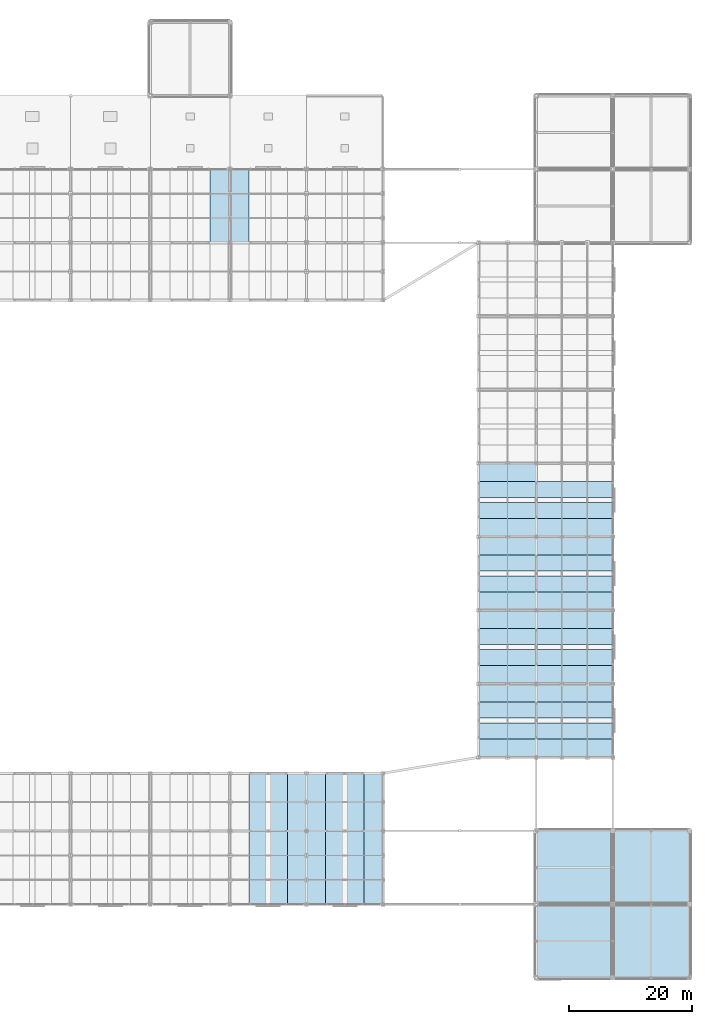
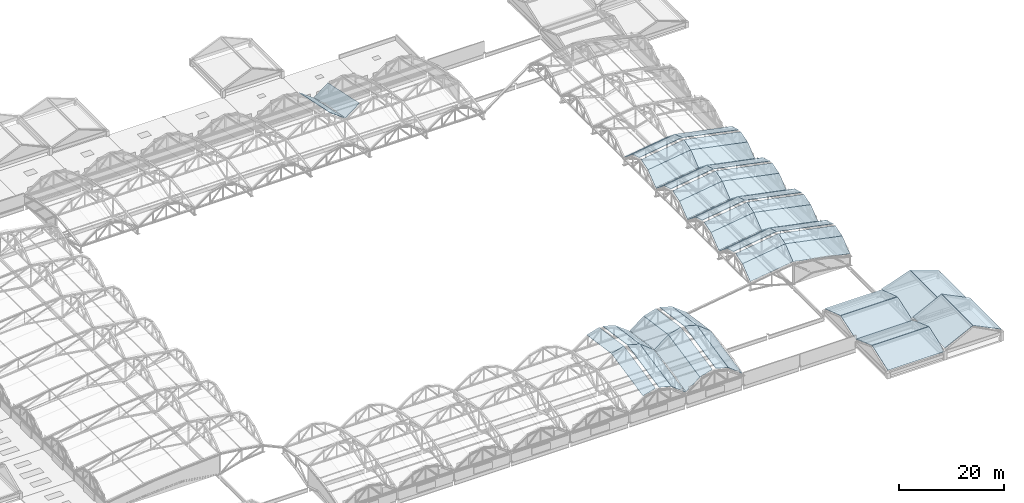
# One storey, part 113 of 117: 55 roofs.
"""IFC4 building model written with IfcOpenShell, lengths in metres."""

from ifc_helpers import new_model, si_unit, direction, frame, origin, place, context, subcontext, project, spatial, polyline, outline, extrude, material, layer, layer_set, type_object, element, save


model = new_model("IFC4")

# Units and contexts
model_context = context("Model", 3, precision=1e-05, world=origin(), true_north=direction((0.0, 1.0)))
body_context = subcontext(model_context, "Body", "Model", "MODEL_VIEW")
ifc_project = project(units=[si_unit("LENGTHUNIT", "METRE"), si_unit("AREAUNIT", "SQUARE_METRE"), si_unit("VOLUMEUNIT", "CUBIC_METRE"), si_unit("PLANEANGLEUNIT", "RADIAN"), si_unit("MASSUNIT", "GRAM", prefix="KILO")], contexts=[model_context])

# Site, building, storey
site_placement = place(None, origin())
site = spatial("IfcSite", under=ifc_project, at=site_placement, CompositionType="ELEMENT")
building_placement = place(site_placement, origin())
building = spatial("IfcBuilding", under=site, at=building_placement, Name="Kazenohara Klinker Stadium", CompositionType="ELEMENT")
storey_placement = place(building_placement, frame((0.0, 0.0, 31.199951171875)))
storey = spatial("IfcBuildingStorey", under=building, at=storey_placement, Name="RF", CompositionType="ELEMENT", Elevation=31.199951171875)

# Roofs
ifc_material = material(Name="Patina copper standing seam roofing", Category="metal")
ifc_layer = layer(ifc_material, 0.080078125)
ifc_layer_set = layer_set([ifc_layer], Name="Patina copper standing seam roofing")
roof_type = type_object("IfcRoofType", Name="ROOF-BARREL-01", PredefinedType="BARREL_ROOF", material=ifc_layer_set)
roof_1_placement = place(storey_placement, frame((175.0, 48.06005859375, 5.14794921875), z_axis=(-0.1114348372, -0.620820003285, 0.775992783845), x_axis=(-0.989845879347, 0.0, -0.142144768244)))
element("IfcRoof", 1, at=roof_1_placement, inside=storey, type_object=roof_type, Name="Scalloped copper barrel-arch roof shell E-01 inner strip 1", PredefinedType="BARREL_ROOF", context=body_context, shape_type="SweptSolid", body=[
    extrude(outline(polyline([(0.0, 0.0), (9.496329216369972, 1.1102230246251565e-16), (9.16199750317222, -3.750149417731541), (-0.3343317131977522, -3.7501494177315413), (0.0, 0.0)])), origin(), (0.0, 0.0, -1.0), 0.080078125),
])
roof_2_placement = place(storey_placement, frame((187.5, 48.06005859375, 2.59814453125), z_axis=(0.157309989565, -0.616913235459, 0.771149549114), x_axis=(-0.979821564179, -4.552084e-06, 0.199874216321)))
element("IfcRoof", 2, at=roof_2_placement, inside=storey, type_object=roof_type, Name="Scalloped copper barrel-arch roof shell E-01 outer strip 1", PredefinedType="BARREL_ROOF", context=body_context, shape_type="SweptSolid", body=[
    extrude(outline(polyline([(0.0, 0.0), (12.757409765917833, 2.220446049250313e-16), (13.227510689708229, -3.7355593238967684), (0.4700521263743014, -3.7354117492855825), (0.0, 0.0)])), origin(), (0.0, 0.0, -1.0), 0.080078125),
])
roof_3_placement = place(storey_placement, frame((175.0, 51.0, 7.5), z_axis=(-0.136061259308, -0.289700944037, 0.947396800047), x_axis=(-0.989844222428, 3.528061e-06, -0.142156305924)))
element("IfcRoof", 3, at=roof_3_placement, inside=storey, type_object=roof_type, Name="Scalloped copper barrel-arch roof shell E-01 inner strip 2", PredefinedType="BARREL_ROOF", context=body_context, shape_type="SweptSolid", body=[
    extrude(outline(polyline([(0.0, 0.0), (9.496329215665769, 1.1102230246251565e-16), (9.382641165120983, -2.733138275735066), (-0.11372275667416151, -2.7332082853263064), (0.0, 0.0)])), origin(), (0.0, 0.0, -1.0), 0.080078125),
])
roof_4_placement = place(storey_placement, frame((187.5, 51.0, 4.949951171875), z_axis=(0.191474785602, -0.287049883254, 0.938583917933), x_axis=(-0.979818977014, 0.0, 0.199886898729)))
element("IfcRoof", 4, at=roof_4_placement, inside=storey, type_object=roof_type, Name="Scalloped copper barrel-arch roof shell E-01 outer strip 2", PredefinedType="BARREL_ROOF", context=body_context, shape_type="SweptSolid", body=[
    extrude(outline(polyline([(0.0, 0.0), (12.757458564534776, 0.0), (12.917377843620228, -2.73089476800433), (0.15991927908545273, -2.73089476800433), (0.0, 0.0)])), origin(), (0.0, 0.0, -1.0), 0.080078125),
])
roof_5_placement = place(storey_placement, frame((175.0, 54.384033203125, 8.300048828125), z_axis=(-0.136061259308, 0.289700944037, 0.947396800047), x_axis=(-0.989843918815, 3.528048e-06, -0.142158419982)))
element("IfcRoof", 5, at=roof_5_placement, inside=storey, type_object=roof_type, Name="Scalloped copper barrel-arch roof shell E-01 inner strip 3", PredefinedType="BARREL_ROOF", context=body_context, shape_type="SweptSolid", body=[
    extrude(outline(polyline([(0.0, 0.0), (9.49636392205321, 0.0), (9.61007212197998, -2.733137437523795), (0.11374290657227543, -2.733207446859171), (0.0, 0.0)])), origin(), (0.0, 0.0, -1.0), 0.080078125),
])
roof_6_placement = place(storey_placement, frame((187.5, 54.384033203125, 5.75), z_axis=(0.191474785602, 0.287049883254, 0.938583917933), x_axis=(-0.979818977014, 0.0, 0.199886898729)))
element("IfcRoof", 6, at=roof_6_placement, inside=storey, type_object=roof_type, Name="Scalloped copper barrel-arch roof shell E-01 outer strip 3", PredefinedType="BARREL_ROOF", context=body_context, shape_type="SweptSolid", body=[
    extrude(outline(polyline([(0.0, 0.0), (12.757458564534776, 0.0), (12.597539285449324, -2.7308947680043296), (-0.15991927908545273, -2.73089476800433), (0.0, 0.0)])), origin(), (0.0, 0.0, -1.0), 0.080078125),
])
roof_7_placement = place(storey_placement, frame((175.0, 57.0, 7.5), z_axis=(-0.1114348372, 0.620820003285, 0.775992783845), x_axis=(-0.989845879347, 0.0, -0.142144768244)))
element("IfcRoof", 7, at=roof_7_placement, inside=storey, type_object=roof_type, Name="Scalloped copper barrel-arch roof shell E-01 inner strip 4", PredefinedType="BARREL_ROOF", context=body_context, shape_type="SweptSolid", body=[
    extrude(outline(polyline([(0.0, 0.0), (9.496329216369972, -1.1102230246251565e-16), (9.830660929567724, -3.7501494177315413), (0.3343317131977522, -3.7501494177315413), (0.0, 0.0)])), origin(), (0.0, 0.0, -1.0), 0.080078125),
])
roof_8_placement = place(storey_placement, frame((187.5, 57.0, 4.949951171875), z_axis=(0.157309989565, 0.616913235459, 0.771149549114), x_axis=(-0.979820137796, -4.552066e-06, 0.199881208592)))
element("IfcRoof", 8, at=roof_8_placement, inside=storey, type_object=roof_type, Name="Scalloped copper barrel-arch roof shell E-01 outer strip 4", PredefinedType="BARREL_ROOF", context=body_context, shape_type="SweptSolid", body=[
    extrude(outline(polyline([(0.0, 0.0), (12.757458564187477, 0.0), (12.287314428552751, -3.735553885654568), (-0.4700953365115346, -3.735406311607867), (0.0, 0.0)])), origin(), (0.0, 0.0, -1.0), 0.080078125),
])
roof_9_placement = place(storey_placement, frame((175.0, 60.06005859375, 5.14794921875), z_axis=(-0.1114348372, -0.620820003285, 0.775992783845), x_axis=(-0.989845879347, 0.0, -0.142144768244)))
element("IfcRoof", 9, at=roof_9_placement, inside=storey, type_object=roof_type, Name="Scalloped copper barrel-arch roof shell E-02 inner strip 1", PredefinedType="BARREL_ROOF", context=body_context, shape_type="SweptSolid", body=[
    extrude(outline(polyline([(0.0, 0.0), (9.496329216369972, 1.1102230246251565e-16), (9.16199750317222, -3.750149417731541), (-0.3343317131977522, -3.7501494177315413), (0.0, 0.0)])), origin(), (0.0, 0.0, -1.0), 0.080078125),
])
roof_10_placement = place(storey_placement, frame((187.5, 60.06005859375, 2.59814453125), z_axis=(0.157309989565, -0.616913235459, 0.771149549114), x_axis=(-0.979821564179, -4.552084e-06, 0.199874216321)))
element("IfcRoof", 10, at=roof_10_placement, inside=storey, type_object=roof_type, Name="Scalloped copper barrel-arch roof shell E-02 outer strip 1", PredefinedType="BARREL_ROOF", context=body_context, shape_type="SweptSolid", body=[
    extrude(outline(polyline([(0.0, 0.0), (12.757409765917833, 2.220446049250313e-16), (13.227510689708229, -3.7355593238967684), (0.4700521263743014, -3.7354117492855825), (0.0, 0.0)])), origin(), (0.0, 0.0, -1.0), 0.080078125),
])
roof_11_placement = place(storey_placement, frame((175.0, 63.0, 7.5), z_axis=(-0.136061259308, -0.289700944037, 0.947396800047), x_axis=(-0.989844222428, 3.528061e-06, -0.142156305924)))
element("IfcRoof", 11, at=roof_11_placement, inside=storey, type_object=roof_type, Name="Scalloped copper barrel-arch roof shell E-02 inner strip 2", PredefinedType="BARREL_ROOF", context=body_context, shape_type="SweptSolid", body=[
    extrude(outline(polyline([(0.0, 0.0), (9.496329215665769, 1.1102230246251565e-16), (9.382641165120983, -2.733138275735066), (-0.11372275667416151, -2.7332082853263064), (0.0, 0.0)])), origin(), (0.0, 0.0, -1.0), 0.080078125),
])
roof_12_placement = place(storey_placement, frame((187.5, 63.0, 4.949951171875), z_axis=(0.191474785602, -0.287049883254, 0.938583917933), x_axis=(-0.979818977014, 0.0, 0.199886898729)))
element("IfcRoof", 12, at=roof_12_placement, inside=storey, type_object=roof_type, Name="Scalloped copper barrel-arch roof shell E-02 outer strip 2", PredefinedType="BARREL_ROOF", context=body_context, shape_type="SweptSolid", body=[
    extrude(outline(polyline([(0.0, 0.0), (12.757458564534776, 0.0), (12.917377843620228, -2.73089476800433), (0.15991927908545273, -2.73089476800433), (0.0, 0.0)])), origin(), (0.0, 0.0, -1.0), 0.080078125),
])
roof_13_placement = place(storey_placement, frame((175.0, 66.384033203125, 8.300048828125), z_axis=(-0.136061259308, 0.289700944037, 0.947396800047), x_axis=(-0.989843918815, 3.528048e-06, -0.142158419982)))
element("IfcRoof", 13, at=roof_13_placement, inside=storey, type_object=roof_type, Name="Scalloped copper barrel-arch roof shell E-02 inner strip 3", PredefinedType="BARREL_ROOF", context=body_context, shape_type="SweptSolid", body=[
    extrude(outline(polyline([(0.0, 0.0), (9.49636392205321, 0.0), (9.61007212197998, -2.733137437523795), (0.11374290657227543, -2.733207446859171), (0.0, 0.0)])), origin(), (0.0, 0.0, -1.0), 0.080078125),
])
roof_14_placement = place(storey_placement, frame((187.5, 66.384033203125, 5.75), z_axis=(0.191474785602, 0.287049883254, 0.938583917933), x_axis=(-0.979818977014, 0.0, 0.199886898729)))
element("IfcRoof", 14, at=roof_14_placement, inside=storey, type_object=roof_type, Name="Scalloped copper barrel-arch roof shell E-02 outer strip 3", PredefinedType="BARREL_ROOF", context=body_context, shape_type="SweptSolid", body=[
    extrude(outline(polyline([(0.0, 0.0), (12.757458564534776, 0.0), (12.597539285449324, -2.7308947680043296), (-0.15991927908545273, -2.73089476800433), (0.0, 0.0)])), origin(), (0.0, 0.0, -1.0), 0.080078125),
])
roof_15_placement = place(storey_placement, frame((175.0, 69.0, 7.5), z_axis=(-0.1114348372, 0.620820003285, 0.775992783845), x_axis=(-0.989845879347, 0.0, -0.142144768244)))
element("IfcRoof", 15, at=roof_15_placement, inside=storey, type_object=roof_type, Name="Scalloped copper barrel-arch roof shell E-02 inner strip 4", PredefinedType="BARREL_ROOF", context=body_context, shape_type="SweptSolid", body=[
    extrude(outline(polyline([(0.0, 0.0), (9.496329216369972, -1.1102230246251565e-16), (9.830660929567724, -3.7501494177315413), (0.3343317131977522, -3.7501494177315413), (0.0, 0.0)])), origin(), (0.0, 0.0, -1.0), 0.080078125),
])
roof_16_placement = place(storey_placement, frame((187.5, 69.0, 4.949951171875), z_axis=(0.157309989565, 0.616913235459, 0.771149549114), x_axis=(-0.979820137796, -4.552066e-06, 0.199881208592)))
element("IfcRoof", 16, at=roof_16_placement, inside=storey, type_object=roof_type, Name="Scalloped copper barrel-arch roof shell E-02 outer strip 4", PredefinedType="BARREL_ROOF", context=body_context, shape_type="SweptSolid", body=[
    extrude(outline(polyline([(0.0, 0.0), (12.757458564187477, 0.0), (12.287314428552751, -3.735553885654568), (-0.4700953365115346, -3.735406311607867), (0.0, 0.0)])), origin(), (0.0, 0.0, -1.0), 0.080078125),
])
roof_17_placement = place(storey_placement, frame((175.0, 72.06005859375, 5.14794921875), z_axis=(-0.1114348372, -0.620820003285, 0.775992783845), x_axis=(-0.989845879347, 0.0, -0.142144768244)))
element("IfcRoof", 17, at=roof_17_placement, inside=storey, type_object=roof_type, Name="Scalloped copper barrel-arch roof shell E-03 inner strip 1", PredefinedType="BARREL_ROOF", context=body_context, shape_type="SweptSolid", body=[
    extrude(outline(polyline([(0.0, 0.0), (9.496329216369972, 1.1102230246251565e-16), (9.16199750317222, -3.750149417731541), (-0.3343317131977522, -3.7501494177315413), (0.0, 0.0)])), origin(), (0.0, 0.0, -1.0), 0.080078125),
])
roof_18_placement = place(storey_placement, frame((187.5, 72.06005859375, 2.59814453125), z_axis=(0.157309989565, -0.616913235459, 0.771149549114), x_axis=(-0.979821564179, -4.552084e-06, 0.199874216321)))
element("IfcRoof", 18, at=roof_18_placement, inside=storey, type_object=roof_type, Name="Scalloped copper barrel-arch roof shell E-03 outer strip 1", PredefinedType="BARREL_ROOF", context=body_context, shape_type="SweptSolid", body=[
    extrude(outline(polyline([(0.0, 0.0), (12.757409765917833, 2.220446049250313e-16), (13.227510689708229, -3.7355593238967684), (0.4700521263743014, -3.7354117492855825), (0.0, 0.0)])), origin(), (0.0, 0.0, -1.0), 0.080078125),
])
roof_19_placement = place(storey_placement, frame((175.0, 75.0, 7.5), z_axis=(-0.136061259308, -0.289700944037, 0.947396800047), x_axis=(-0.989844222428, 3.528061e-06, -0.142156305924)))
element("IfcRoof", 19, at=roof_19_placement, inside=storey, type_object=roof_type, Name="Scalloped copper barrel-arch roof shell E-03 inner strip 2", PredefinedType="BARREL_ROOF", context=body_context, shape_type="SweptSolid", body=[
    extrude(outline(polyline([(0.0, 0.0), (9.496329215665769, 1.1102230246251565e-16), (9.382641165120983, -2.733138275735066), (-0.11372275667416151, -2.7332082853263064), (0.0, 0.0)])), origin(), (0.0, 0.0, -1.0), 0.080078125),
])
roof_20_placement = place(storey_placement, frame((187.5, 75.0, 4.949951171875), z_axis=(0.191474785602, -0.287049883254, 0.938583917933), x_axis=(-0.979818977014, 0.0, 0.199886898729)))
element("IfcRoof", 20, at=roof_20_placement, inside=storey, type_object=roof_type, Name="Scalloped copper barrel-arch roof shell E-03 outer strip 2", PredefinedType="BARREL_ROOF", context=body_context, shape_type="SweptSolid", body=[
    extrude(outline(polyline([(0.0, 0.0), (12.757458564534776, 0.0), (12.917377843620228, -2.73089476800433), (0.15991927908545273, -2.73089476800433), (0.0, 0.0)])), origin(), (0.0, 0.0, -1.0), 0.080078125),
])
roof_21_placement = place(storey_placement, frame((175.0, 78.384033203125, 8.300048828125), z_axis=(-0.136061259308, 0.289700944037, 0.947396800047), x_axis=(-0.989843918815, 3.528048e-06, -0.142158419982)))
element("IfcRoof", 21, at=roof_21_placement, inside=storey, type_object=roof_type, Name="Scalloped copper barrel-arch roof shell E-03 inner strip 3", PredefinedType="BARREL_ROOF", context=body_context, shape_type="SweptSolid", body=[
    extrude(outline(polyline([(0.0, 0.0), (9.49636392205321, 0.0), (9.61007212197998, -2.733137437523795), (0.11374290657227543, -2.733207446859171), (0.0, 0.0)])), origin(), (0.0, 0.0, -1.0), 0.080078125),
])
roof_22_placement = place(storey_placement, frame((187.5, 78.384033203125, 5.75), z_axis=(0.191474785602, 0.287049883254, 0.938583917933), x_axis=(-0.979818977014, 0.0, 0.199886898729)))
element("IfcRoof", 22, at=roof_22_placement, inside=storey, type_object=roof_type, Name="Scalloped copper barrel-arch roof shell E-03 outer strip 3", PredefinedType="BARREL_ROOF", context=body_context, shape_type="SweptSolid", body=[
    extrude(outline(polyline([(0.0, 0.0), (12.757458564534776, 0.0), (12.597539285449324, -2.7308947680043296), (-0.15991927908545273, -2.73089476800433), (0.0, 0.0)])), origin(), (0.0, 0.0, -1.0), 0.080078125),
])
roof_23_placement = place(storey_placement, frame((175.0, 81.0, 7.5), z_axis=(-0.1114348372, 0.620820003285, 0.775992783845), x_axis=(-0.989845879347, 0.0, -0.142144768244)))
element("IfcRoof", 23, at=roof_23_placement, inside=storey, type_object=roof_type, Name="Scalloped copper barrel-arch roof shell E-03 inner strip 4", PredefinedType="BARREL_ROOF", context=body_context, shape_type="SweptSolid", body=[
    extrude(outline(polyline([(0.0, 0.0), (9.496329216369972, -1.1102230246251565e-16), (9.830660929567724, -3.7501494177315413), (0.3343317131977522, -3.7501494177315413), (0.0, 0.0)])), origin(), (0.0, 0.0, -1.0), 0.080078125),
])
roof_24_placement = place(storey_placement, frame((187.5, 81.0, 4.949951171875), z_axis=(0.157309989565, 0.616913235459, 0.771149549114), x_axis=(-0.979820137796, -4.552066e-06, 0.199881208592)))
element("IfcRoof", 24, at=roof_24_placement, inside=storey, type_object=roof_type, Name="Scalloped copper barrel-arch roof shell E-03 outer strip 4", PredefinedType="BARREL_ROOF", context=body_context, shape_type="SweptSolid", body=[
    extrude(outline(polyline([(0.0, 0.0), (12.757458564187477, 0.0), (12.287314428552751, -3.735553885654568), (-0.4700953365115346, -3.735406311607867), (0.0, 0.0)])), origin(), (0.0, 0.0, -1.0), 0.080078125),
])
roof_25_placement = place(storey_placement, frame((175.0, 84.06005859375, 5.14794921875), z_axis=(-0.1114348372, -0.620820003285, 0.775992783845), x_axis=(-0.989845879347, 0.0, -0.142144768244)))
element("IfcRoof", 25, at=roof_25_placement, inside=storey, type_object=roof_type, Name="Scalloped copper barrel-arch roof shell E-04 inner strip 1", PredefinedType="BARREL_ROOF", context=body_context, shape_type="SweptSolid", body=[
    extrude(outline(polyline([(0.0, 0.0), (9.496329216369972, 1.1102230246251565e-16), (9.16199750317222, -3.750149417731541), (-0.3343317131977522, -3.7501494177315413), (0.0, 0.0)])), origin(), (0.0, 0.0, -1.0), 0.080078125),
])
roof_26_placement = place(storey_placement, frame((187.5, 84.06005859375, 2.59814453125), z_axis=(0.157309989565, -0.616913235459, 0.771149549114), x_axis=(-0.979821564179, -4.552084e-06, 0.199874216321)))
element("IfcRoof", 26, at=roof_26_placement, inside=storey, type_object=roof_type, Name="Scalloped copper barrel-arch roof shell E-04 outer strip 1", PredefinedType="BARREL_ROOF", context=body_context, shape_type="SweptSolid", body=[
    extrude(outline(polyline([(0.0, 0.0), (12.757409765917833, 2.220446049250313e-16), (13.227510689708229, -3.7355593238967684), (0.4700521263743014, -3.7354117492855825), (0.0, 0.0)])), origin(), (0.0, 0.0, -1.0), 0.080078125),
])
roof_27_placement = place(storey_placement, frame((175.0, 87.0, 7.5), z_axis=(-0.136061259308, -0.289700944037, 0.947396800047), x_axis=(-0.989844222428, 3.528061e-06, -0.142156305924)))
element("IfcRoof", 27, at=roof_27_placement, inside=storey, type_object=roof_type, Name="Scalloped copper barrel-arch roof shell E-04 inner strip 2", PredefinedType="BARREL_ROOF", context=body_context, shape_type="SweptSolid", body=[
    extrude(outline(polyline([(0.0, 0.0), (9.496329215665769, 1.1102230246251565e-16), (9.382641165120983, -2.733138275735066), (-0.11372275667416151, -2.7332082853263064), (0.0, 0.0)])), origin(), (0.0, 0.0, -1.0), 0.080078125),
])
roof_28_placement = place(storey_placement, frame((187.5, 87.0, 4.949951171875), z_axis=(0.191474785602, -0.287049883254, 0.938583917933), x_axis=(-0.979818977014, 0.0, 0.199886898729)))
element("IfcRoof", 28, at=roof_28_placement, inside=storey, type_object=roof_type, Name="Scalloped copper barrel-arch roof shell E-04 outer strip 2", PredefinedType="BARREL_ROOF", context=body_context, shape_type="SweptSolid", body=[
    extrude(outline(polyline([(0.0, 0.0), (12.757458564534776, 0.0), (12.917377843620228, -2.73089476800433), (0.15991927908545273, -2.73089476800433), (0.0, 0.0)])), origin(), (0.0, 0.0, -1.0), 0.080078125),
])
roof_29_placement = place(storey_placement, frame((175.0, 90.384033203125, 8.300048828125), z_axis=(-0.136061259308, 0.289700944037, 0.947396800047), x_axis=(-0.989843918815, 3.528048e-06, -0.142158419982)))
element("IfcRoof", 29, at=roof_29_placement, inside=storey, type_object=roof_type, Name="Scalloped copper barrel-arch roof shell E-04 inner strip 3", PredefinedType="BARREL_ROOF", context=body_context, shape_type="SweptSolid", body=[
    extrude(outline(polyline([(0.0, 0.0), (9.49636392205321, 0.0), (9.61007212197998, -2.733137437523795), (0.11374290657227543, -2.733207446859171), (0.0, 0.0)])), origin(), (0.0, 0.0, -1.0), 0.080078125),
])
roof_30_placement = place(storey_placement, frame((187.5, 90.384033203125, 5.75), z_axis=(0.191474785602, 0.287049883254, 0.938583917933), x_axis=(-0.979818977014, 0.0, 0.199886898729)))
element("IfcRoof", 30, at=roof_30_placement, inside=storey, type_object=roof_type, Name="Scalloped copper barrel-arch roof shell E-04 outer strip 3", PredefinedType="BARREL_ROOF", context=body_context, shape_type="SweptSolid", body=[
    extrude(outline(polyline([(0.0, 0.0), (12.757458564534776, 0.0), (12.597539285449324, -2.7308947680043296), (-0.15991927908545273, -2.73089476800433), (0.0, 0.0)])), origin(), (0.0, 0.0, -1.0), 0.080078125),
])
roof_31_placement = place(storey_placement, frame((175.0, 93.0, 7.5), z_axis=(-0.1114348372, 0.620820003285, 0.775992783845), x_axis=(-0.989845879347, 0.0, -0.142144768244)))
element("IfcRoof", 31, at=roof_31_placement, inside=storey, type_object=roof_type, Name="Scalloped copper barrel-arch roof shell E-04 inner strip 4", PredefinedType="BARREL_ROOF", context=body_context, shape_type="SweptSolid", body=[
    extrude(outline(polyline([(0.0, 0.0), (9.496329216369972, -1.1102230246251565e-16), (9.830660929567724, -3.7501494177315413), (0.3343317131977522, -3.7501494177315413), (0.0, 0.0)])), origin(), (0.0, 0.0, -1.0), 0.080078125),
])
roof_32_placement = place(storey_placement, frame((121.75, 144.0, 4.949951171875), z_axis=(0.585531139913, 0.168496052019, 0.792945373053), x_axis=(-4.619884e-06, -0.978159371151, 0.207856307599)))
element("IfcRoof", 32, at=roof_32_placement, inside=storey, type_object=roof_type, Name="Scalloped copper barrel-arch roof shell N-05 outer strip 4", PredefinedType="BARREL_ROOF", context=body_context, shape_type="SweptSolid", body=[
    extrude(outline(polyline([(0.0, 0.0), (12.267956187419827, 2.220446049250313e-16), (11.779052882140807, 3.929085729774476), (-0.4888525591101731, 3.9289459001862985), (0.0, 0.0)])), origin(), (0.0, 0.0, -1.0), 0.080078125),
])
roof_33_placement = place(storey_placement, frame((125.0625, 144.0, 2.59814453125), z_axis=(-0.600615995654, 0.166186330342, 0.782075782372), x_axis=(-4.673964e-06, -0.978160794535, 0.207849609123)))
element("IfcRoof", 33, at=roof_33_placement, inside=storey, type_object=roof_type, Name="Scalloped copper barrel-arch roof shell N-06 outer strip 1", PredefinedType="BARREL_ROOF", context=body_context, shape_type="SweptSolid", body=[
    extrude(outline(polyline([(0.0, 0.0), (12.267905442058264, 0.0), (12.756763963564547, 3.8304133542498056), (0.4888077769728044, 3.8302699216823575), (0.0, 0.0)])), origin(), (0.0, 0.0, -1.0), 0.080078125),
])
roof_34_placement = place(storey_placement, frame((128.125, 36.0, 7.5), z_axis=(-0.279019930215, 0.136511627499, 0.950532721215), x_axis=(3.409232e-06, 0.989844211441, -0.142156382431)))
element("IfcRoof", 34, at=roof_34_placement, inside=storey, type_object=roof_type, Name="Scalloped copper barrel-arch roof shell S-06 inner strip 2", PredefinedType="BARREL_ROOF", context=body_context, shape_type="SweptSolid", body=[
    extrude(outline(polyline([(0.0, 0.0), (9.496329215661099, 1.1102230246251565e-16), (9.382641165125596, -2.8377666901893592), (-0.11372275668355664, -2.837834118589799), (0.0, 0.0)])), origin(), (0.0, 0.0, -1.0), 0.080078125),
])
roof_35_placement = place(storey_placement, frame((128.125, 24.0, 4.949951171875), z_axis=(-0.276017021215, -0.199787674479, 0.94015928923), x_axis=(0.0, 0.978158041674, 0.207862563991)))
element("IfcRoof", 35, at=roof_35_placement, inside=storey, type_object=roof_type, Name="Scalloped copper barrel-arch roof shell S-06 outer strip 2", PredefinedType="BARREL_ROOF", context=body_context, shape_type="SweptSolid", body=[
    extrude(outline(polyline([(0.0, 0.0), (12.267956187801687, -1.1102230246251565e-16), (12.434256388533697, -2.8352388976451213), (0.16630020073201093, -2.8352388976451213), (0.0, 0.0)])), origin(), (0.0, 0.0, -1.0), 0.080078125),
])
roof_36_placement = place(storey_placement, frame((131.64990234375, 36.0, 8.300048828125), z_axis=(0.279019930215, 0.136511627499, 0.950532721215), x_axis=(3.40922e-06, 0.989843929803, -0.142158343476)))
element("IfcRoof", 36, at=roof_36_placement, inside=storey, type_object=roof_type, Name="Scalloped copper barrel-arch roof shell S-06 inner strip 3", PredefinedType="BARREL_ROOF", context=body_context, shape_type="SweptSolid", body=[
    extrude(outline(polyline([(0.0, 0.0), (9.496363922048538, -5.551115123125783e-17), (9.610072121984706, -2.8377658828821857), (0.11374290656299219, -2.8378333110361944), (0.0, 0.0)])), origin(), (0.0, 0.0, -1.0), 0.080078125),
])
roof_37_placement = place(storey_placement, frame((131.64990234375, 24.0, 5.75), z_axis=(0.276017021215, -0.199787674479, 0.94015928923), x_axis=(0.0, 0.978158041674, 0.207862563991)))
element("IfcRoof", 37, at=roof_37_placement, inside=storey, type_object=roof_type, Name="Scalloped copper barrel-arch roof shell S-06 outer strip 3", PredefinedType="BARREL_ROOF", context=body_context, shape_type="SweptSolid", body=[
    extrude(outline(polyline([(0.0, 0.0), (12.267956187801687, 1.1102230246251565e-16), (12.101655987069677, -2.8352388976451213), (-0.16630020073201093, -2.8352388976451213), (0.0, 0.0)])), origin(), (0.0, 0.0, -1.0), 0.080078125),
])
roof_38_placement = place(storey_placement, frame((134.375, 36.0, 7.5), z_axis=(0.605193292064, 0.11315840291, 0.787995085702), x_axis=(0.0, 0.989845879347, -0.142144768244)))
element("IfcRoof", 38, at=roof_38_placement, inside=storey, type_object=roof_type, Name="Scalloped copper barrel-arch roof shell S-06 inner strip 4", PredefinedType="BARREL_ROOF", context=body_context, shape_type="SweptSolid", body=[
    extrude(outline(polyline([(0.0, 0.0), (9.496329216369972, -2.220446049250313e-16), (9.830660929567724, -3.846982120198766), (0.3343317131977522, -3.846982120198766), (0.0, 0.0)])), origin(), (0.0, 0.0, -1.0), 0.080078125),
])
roof_39_placement = place(storey_placement, frame((134.375, 24.0, 4.949951171875), z_axis=(0.600615995654, -0.166186330342, 0.782075782372), x_axis=(-4.673945e-06, 0.978159334952, 0.207856477947)))
element("IfcRoof", 39, at=roof_39_placement, inside=storey, type_object=roof_type, Name="Scalloped copper barrel-arch roof shell S-06 outer strip 4", PredefinedType="BARREL_ROOF", context=body_context, shape_type="SweptSolid", body=[
    extrude(outline(polyline([(0.0, 0.0), (12.267956187430222, 0.0), (11.779052882130824, -3.8304076384285626), (-0.48885255908896436, -3.8302642064544115), (0.0, 0.0)])), origin(), (0.0, 0.0, -1.0), 0.080078125),
])
roof_40_placement = place(storey_placement, frame((137.5625, 36.0, 5.14794921875), z_axis=(-0.605193292064, 0.11315840291, 0.787995085702), x_axis=(0.0, 0.989845879347, -0.142144768244)))
element("IfcRoof", 40, at=roof_40_placement, inside=storey, type_object=roof_type, Name="Scalloped copper barrel-arch roof shell S-07 inner strip 1", PredefinedType="BARREL_ROOF", context=body_context, shape_type="SweptSolid", body=[
    extrude(outline(polyline([(0.0, 0.0), (9.496329216369972, 2.220446049250313e-16), (9.16199750317222, -3.846982120198766), (-0.3343317131977522, -3.846982120198766), (0.0, 0.0)])), origin(), (0.0, 0.0, -1.0), 0.080078125),
])
roof_41_placement = place(storey_placement, frame((137.5625, 24.0, 2.59814453125), z_axis=(-0.600615995654, -0.166186330342, 0.782075782372), x_axis=(-4.673964e-06, 0.978160794535, 0.207849609123)))
element("IfcRoof", 41, at=roof_41_placement, inside=storey, type_object=roof_type, Name="Scalloped copper barrel-arch roof shell S-07 outer strip 1", PredefinedType="BARREL_ROOF", context=body_context, shape_type="SweptSolid", body=[
    extrude(outline(polyline([(0.0, 0.0), (12.267905442058264, 0.0), (12.756763963564547, -3.8304133542498056), (0.4888077769728044, -3.8302699216823575), (0.0, 0.0)])), origin(), (0.0, 0.0, -1.0), 0.080078125),
])
roof_42_placement = place(storey_placement, frame((140.625, 36.0, 7.5), z_axis=(-0.279019930215, 0.136511627499, 0.950532721215), x_axis=(3.409232e-06, 0.989844211441, -0.142156382431)))
element("IfcRoof", 42, at=roof_42_placement, inside=storey, type_object=roof_type, Name="Scalloped copper barrel-arch roof shell S-07 inner strip 2", PredefinedType="BARREL_ROOF", context=body_context, shape_type="SweptSolid", body=[
    extrude(outline(polyline([(0.0, 0.0), (9.496329215661099, 1.1102230246251565e-16), (9.382641165125596, -2.8377666901893592), (-0.11372275668355664, -2.837834118589799), (0.0, 0.0)])), origin(), (0.0, 0.0, -1.0), 0.080078125),
])
roof_43_placement = place(storey_placement, frame((140.625, 24.0, 4.949951171875), z_axis=(-0.276017021215, -0.199787674479, 0.94015928923), x_axis=(0.0, 0.978158041674, 0.207862563991)))
element("IfcRoof", 43, at=roof_43_placement, inside=storey, type_object=roof_type, Name="Scalloped copper barrel-arch roof shell S-07 outer strip 2", PredefinedType="BARREL_ROOF", context=body_context, shape_type="SweptSolid", body=[
    extrude(outline(polyline([(0.0, 0.0), (12.267956187801687, -1.1102230246251565e-16), (12.434256388533697, -2.8352388976451213), (0.16630020073201093, -2.8352388976451213), (0.0, 0.0)])), origin(), (0.0, 0.0, -1.0), 0.080078125),
])
roof_44_placement = place(storey_placement, frame((144.14990234375, 36.0, 8.300048828125), z_axis=(0.279019930215, 0.136511627499, 0.950532721215), x_axis=(3.40922e-06, 0.989843929803, -0.142158343476)))
element("IfcRoof", 44, at=roof_44_placement, inside=storey, type_object=roof_type, Name="Scalloped copper barrel-arch roof shell S-07 inner strip 3", PredefinedType="BARREL_ROOF", context=body_context, shape_type="SweptSolid", body=[
    extrude(outline(polyline([(0.0, 0.0), (9.496363922048538, -5.551115123125783e-17), (9.610072121984706, -2.8377658828821857), (0.11374290656299219, -2.8378333110361944), (0.0, 0.0)])), origin(), (0.0, 0.0, -1.0), 0.080078125),
])
roof_45_placement = place(storey_placement, frame((144.14990234375, 24.0, 5.75), z_axis=(0.276017021215, -0.199787674479, 0.94015928923), x_axis=(0.0, 0.978158041674, 0.207862563991)))
element("IfcRoof", 45, at=roof_45_placement, inside=storey, type_object=roof_type, Name="Scalloped copper barrel-arch roof shell S-07 outer strip 3", PredefinedType="BARREL_ROOF", context=body_context, shape_type="SweptSolid", body=[
    extrude(outline(polyline([(0.0, 0.0), (12.267956187801687, 1.1102230246251565e-16), (12.101655987069677, -2.8352388976451213), (-0.16630020073201093, -2.8352388976451213), (0.0, 0.0)])), origin(), (0.0, 0.0, -1.0), 0.080078125),
])
roof_46_placement = place(storey_placement, frame((146.875, 36.0, 7.5), z_axis=(0.605193292064, 0.11315840291, 0.787995085702), x_axis=(0.0, 0.989845879347, -0.142144768244)))
element("IfcRoof", 46, at=roof_46_placement, inside=storey, type_object=roof_type, Name="Scalloped copper barrel-arch roof shell S-07 inner strip 4", PredefinedType="BARREL_ROOF", context=body_context, shape_type="SweptSolid", body=[
    extrude(outline(polyline([(0.0, 0.0), (9.496329216369972, -2.220446049250313e-16), (9.830660929567724, -3.846982120198766), (0.3343317131977522, -3.846982120198766), (0.0, 0.0)])), origin(), (0.0, 0.0, -1.0), 0.080078125),
])
roof_47_placement = place(storey_placement, frame((146.875, 24.0, 4.949951171875), z_axis=(0.600615995654, -0.166186330342, 0.782075782372), x_axis=(-4.673945e-06, 0.978159334952, 0.207856477947)))
element("IfcRoof", 47, at=roof_47_placement, inside=storey, type_object=roof_type, Name="Scalloped copper barrel-arch roof shell S-07 outer strip 4", PredefinedType="BARREL_ROOF", context=body_context, shape_type="SweptSolid", body=[
    extrude(outline(polyline([(0.0, 0.0), (12.267956187430222, 0.0), (11.779052882130824, -3.8304076384285626), (-0.48885255908896436, -3.8302642064544115), (0.0, 0.0)])), origin(), (0.0, 0.0, -1.0), 0.080078125),
])
for number, where, z_axis, x_axis, name in (
    (48, (187.5, 12.0, 2.550048828125), (-0.441703727171, 0.0, 0.897160976304), (0.897160976304, 0.0, 0.441703727171), "Patina copper pitched turret crown roof GT4-SE-A"),
    (49, (193.804931640625, 12.0, 5.60009765625), (0.441703727171, 0.0, 0.897160976304), (0.897160976304, 0.0, -0.441703727171), "Patina copper pitched turret crown roof GT4-SE-B"),
):
    element("IfcRoof", number, at=place(storey_placement, frame(where, z_axis=z_axis, x_axis=x_axis)), inside=storey, type_object=roof_type, Name=name, PredefinedType="BARREL_ROOF", context=body_context, shape_type="SweptSolid", body=[
        extrude(outline(polyline([(0.0, 0.0), (6.905191513004975, 0.0), (6.905191513004975, 12.0), (0.0, 12.0), (0.0, 0.0)])), origin(), (0.0, 0.0, -1.0), 0.080078125),
    ])
for number, where, z_axis, x_axis, name in (
    (50, (175.0, 12.0, 1.75), (0.0, -0.340108470741, 0.940386212218), (1.0, 0.0, 0.0), "Patina copper pitched turret crown roof GT4-SW-A"),
    (51, (175.0, 18.054931640625, 3.900146484375), (0.0, 0.340108470741, 0.940386212218), (1.0, 0.0, 0.0), "Patina copper pitched turret crown roof GT4-SW-B"),
):
    element("IfcRoof", number, at=place(storey_placement, frame(where, z_axis=z_axis, x_axis=x_axis)), inside=storey, type_object=roof_type, Name=name, PredefinedType="BARREL_ROOF", context=body_context, shape_type="SweptSolid", body=[
        extrude(outline(polyline([(0.0, 0.0), (12.5, 0.0), (12.5, 6.321943348521239), (0.0, 6.321943348521239), (0.0, 0.0)])), origin(), (0.0, 0.0, -1.0), 0.080078125),
    ])
for number, where, z_axis, x_axis, name in (
    (52, (187.5, 24.0, 1.75), (-0.327886632517, 0.0, 0.944717077339), (0.944717077339, 0.0, 0.327886632517), "Patina copper pitched turret crown roof GT4-NE-A"),
    (53, (193.804931640625, 24.0, 3.900146484375), (0.327886632517, 0.0, 0.944717077339), (0.944717077339, 0.0, -0.327886632517), "Patina copper pitched turret crown roof GT4-NE-B"),
):
    element("IfcRoof", number, at=place(storey_placement, frame(where, z_axis=z_axis, x_axis=x_axis)), inside=storey, type_object=roof_type, Name=name, PredefinedType="BARREL_ROOF", context=body_context, shape_type="SweptSolid", body=[
        extrude(outline(polyline([(0.0, 0.0), (6.557591164566409, 0.0), (6.557591164566409, 12.000000000000004), (0.0, 12.000000000000004), (0.0, 0.0)])), origin(), (0.0, 0.0, -1.0), 0.080078125),
    ])
for number, where, z_axis, x_axis, name in (
    (54, (175.0, 24.0, 1.550048828125), (0.0, -0.31885382794, 0.947803901874), (1.0, 0.0, 0.0), "Patina copper pitched turret crown roof GT4-NW-A"),
    (55, (175.0, 30.054931640625, 3.550048828125), (0.0, 0.31885382794, 0.947803901874), (1.0, 0.0, 0.0), "Patina copper pitched turret crown roof GT4-NW-B"),
):
    element("IfcRoof", number, at=place(storey_placement, frame(where, z_axis=z_axis, x_axis=x_axis)), inside=storey, type_object=roof_type, Name=name, PredefinedType="BARREL_ROOF", context=body_context, shape_type="SweptSolid", body=[
        extrude(outline(polyline([(0.0, 0.0), (12.5, 0.0), (12.5, 6.272466643804632), (0.0, 6.272466643804632), (0.0, 0.0)])), origin(), (0.0, 0.0, -1.0), 0.080078125),
    ])

save(model, "model.ifc")
